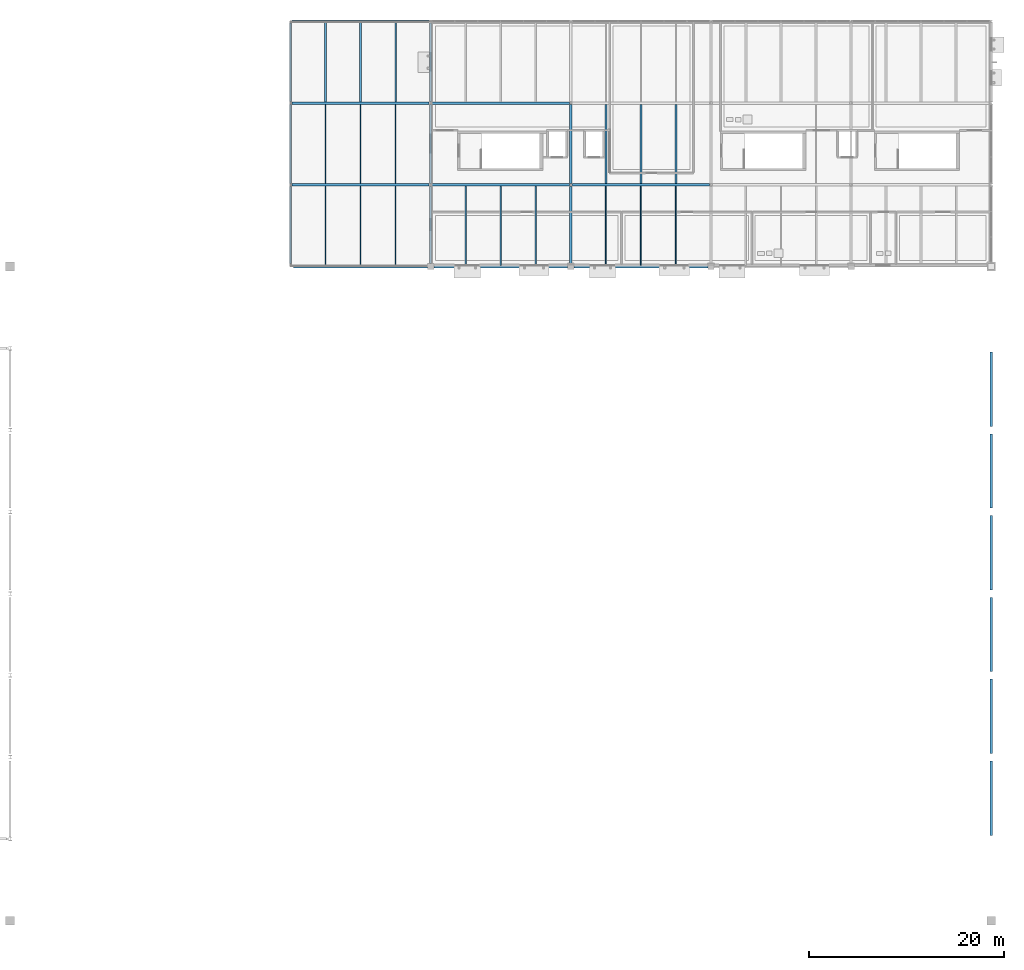
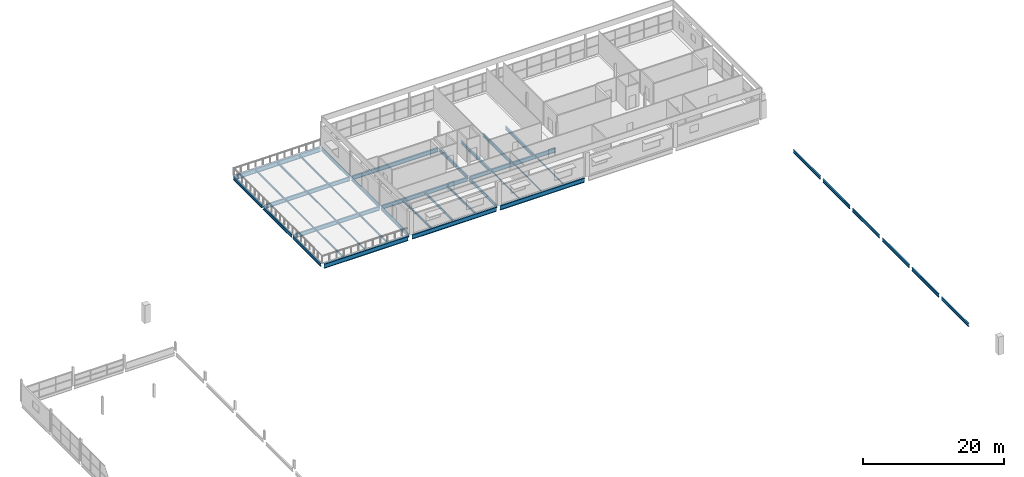
# One storey, part 17 of 43: 41 beams.
"""IFC4 building model written with IfcOpenShell, lengths in metres."""

from ifc_helpers import new_model, si_unit, direction, frame, origin, origin_2d, place, context, subcontext, project, spatial, i_section, extrude, material, material_profile, profile_set, type_object, element, save


model = new_model("IFC4")

# Units and contexts
model_context = context("Model", 3, precision=1e-05, world=origin(), true_north=direction((0.0, 1.0)))
body_context = subcontext(model_context, "Body", "Model", "MODEL_VIEW")
ifc_project = project(units=[si_unit("LENGTHUNIT", "METRE"), si_unit("AREAUNIT", "SQUARE_METRE"), si_unit("VOLUMEUNIT", "CUBIC_METRE"), si_unit("PLANEANGLEUNIT", "RADIAN"), si_unit("MASSUNIT", "GRAM", prefix="KILO"), si_unit("THERMODYNAMICTEMPERATUREUNIT", "KELVIN")], contexts=[model_context])

# Site, building, storey
site_placement = place(None, origin())
site = spatial("IfcSite", under=ifc_project, at=site_placement, CompositionType="ELEMENT")
building_placement = place(site_placement, origin())
building = spatial("IfcBuilding", under=site, at=building_placement, Name="Nduvali Passage Aquatics Centre", CompositionType="ELEMENT")
storey_placement = place(building_placement, frame((0.0, 0.0, 17.39990234375)))
storey = spatial("IfcBuildingStorey", under=building, at=storey_placement, Name="L04", CompositionType="ELEMENT", Elevation=17.39990234375)

# Beams
ifc_material = material(Name="Steel S355", Category="steel")
ifc_material_profile_1 = material_profile(ifc_material, i_section(OverallWidth=0.210693359375, OverallDepth=0.53955078125, WebThickness=0.01171875, FlangeThickness=0.018798828125, FilletRadius=0.0126953125, at=origin_2d()), Name="UKB 533x210x109")
ifc_profile_set_1 = profile_set([ifc_material_profile_1], Name="Steel S355")
beam_type_1 = type_object("IfcBeamType", Name="STR-BM-UKB533", PredefinedType="BEAM", material=ifc_profile_set_1)
beam_1_placement = place(storey_placement, frame((54.0, 92.72509765625, -0.503662109375), z_axis=(0.0, 1.0, 0.0), x_axis=(-1.0, 0.0, 0.0)))
element("IfcBeam", 1, at=beam_1_placement, inside=storey, type_object=beam_type_1, Name="L04 Primary Y-Girder B6-1371", PredefinedType="BEAM", context=body_context, shape_type="SweptSolid", body=[
    extrude(i_section(OverallWidth=0.210693359375, OverallDepth=0.53955078125, WebThickness=0.01171875, FlangeThickness=0.018798828125, FilletRadius=0.0126953125, at=origin_2d()), origin(), (0.0, 0.0, 1.0), 7.9248046875),
])
beam_2_placement = place(storey_placement, frame((54.0, 100.949951171875, -0.503662109375), z_axis=(0.0, 1.0, 0.0), x_axis=(-1.0, 0.0, 0.0)))
element("IfcBeam", 2, at=beam_2_placement, inside=storey, type_object=beam_type_1, Name="L04 Primary Y-Girder B6-1372", PredefinedType="BEAM", context=body_context, shape_type="SweptSolid", body=[
    extrude(i_section(OverallWidth=0.210693359375, OverallDepth=0.53955078125, WebThickness=0.01171875, FlangeThickness=0.018798828125, FilletRadius=0.0126953125, at=origin_2d()), origin(), (0.0, 0.0, 1.0), 8.10009765625),
])
beam_3_placement = place(storey_placement, frame((54.0, 109.35009765625, -0.503662109375), z_axis=(0.0, 1.0, 0.0), x_axis=(-1.0, 0.0, 0.0)))
element("IfcBeam", 3, at=beam_3_placement, inside=storey, type_object=beam_type_1, Name="L04 Primary Y-Girder B6-1373", PredefinedType="BEAM", context=body_context, shape_type="SweptSolid", body=[
    extrude(i_section(OverallWidth=0.210693359375, OverallDepth=0.53955078125, WebThickness=0.01171875, FlangeThickness=0.018798828125, FilletRadius=0.0126953125, at=origin_2d()), origin(), (0.0, 0.0, 1.0), 8.099853515625),
])
beam_4_placement = place(storey_placement, frame((68.39990234375, 92.72509765625, -0.503662109375), z_axis=(0.0, 1.0, 0.0), x_axis=(-1.0, 0.0, 0.0)))
element("IfcBeam", 4, at=beam_4_placement, inside=storey, type_object=beam_type_1, Name="L04 Primary Y-Girder B6-1374", PredefinedType="BEAM", context=body_context, shape_type="SweptSolid", body=[
    extrude(i_section(OverallWidth=0.210693359375, OverallDepth=0.53955078125, WebThickness=0.01171875, FlangeThickness=0.018798828125, FilletRadius=0.0126953125, at=origin_2d()), origin(), (0.0, 0.0, 1.0), 7.9248046875),
])
beam_5_placement = place(storey_placement, frame((68.39990234375, 100.949951171875, -0.503662109375), z_axis=(0.0, 1.0, 0.0), x_axis=(-1.0, 0.0, 0.0)))
element("IfcBeam", 5, at=beam_5_placement, inside=storey, type_object=beam_type_1, Name="L04 Primary Y-Girder B6-1375", PredefinedType="BEAM", context=body_context, shape_type="SweptSolid", body=[
    extrude(i_section(OverallWidth=0.210693359375, OverallDepth=0.53955078125, WebThickness=0.01171875, FlangeThickness=0.018798828125, FilletRadius=0.0126953125, at=origin_2d()), origin(), (0.0, 0.0, 1.0), 8.10009765625),
])
beam_6_placement = place(storey_placement, frame((68.39990234375, 109.35009765625, -0.503662109375), z_axis=(0.0, 1.0, 0.0), x_axis=(-1.0, 0.0, 0.0)))
element("IfcBeam", 6, at=beam_6_placement, inside=storey, type_object=beam_type_1, Name="L04 Primary Y-Girder B6-1376", PredefinedType="BEAM", context=body_context, shape_type="SweptSolid", body=[
    extrude(i_section(OverallWidth=0.210693359375, OverallDepth=0.53955078125, WebThickness=0.01171875, FlangeThickness=0.018798828125, FilletRadius=0.0126953125, at=origin_2d()), origin(), (0.0, 0.0, 1.0), 8.099853515625),
])
beam_7_placement = place(storey_placement, frame((82.800048828125, 92.72509765625, -0.503662109375), z_axis=(0.0, 1.0, 0.0), x_axis=(-1.0, 0.0, 0.0)))
element("IfcBeam", 7, at=beam_7_placement, inside=storey, type_object=beam_type_1, Name="L04 Primary Y-Girder B6-1377", PredefinedType="BEAM", context=body_context, shape_type="SweptSolid", body=[
    extrude(i_section(OverallWidth=0.210693359375, OverallDepth=0.53955078125, WebThickness=0.01171875, FlangeThickness=0.018798828125, FilletRadius=0.0126953125, at=origin_2d()), origin(), (0.0, 0.0, 1.0), 7.9248046875),
])
beam_8_placement = place(storey_placement, frame((82.800048828125, 100.949951171875, -0.503662109375), z_axis=(0.0, 1.0, 0.0), x_axis=(-1.0, 0.0, 0.0)))
element("IfcBeam", 8, at=beam_8_placement, inside=storey, type_object=beam_type_1, Name="L04 Primary Y-Girder B6-1378", PredefinedType="BEAM", context=body_context, shape_type="SweptSolid", body=[
    extrude(i_section(OverallWidth=0.210693359375, OverallDepth=0.53955078125, WebThickness=0.01171875, FlangeThickness=0.018798828125, FilletRadius=0.0126953125, at=origin_2d()), origin(), (0.0, 0.0, 1.0), 8.10009765625),
])
ifc_material_profile_2 = material_profile(ifc_material, i_section(OverallWidth=0.210693359375, OverallDepth=0.53955078125, WebThickness=0.01171875, FlangeThickness=0.018798828125, FilletRadius=0.0126953125, at=origin_2d()), Name="UKB 533x210x109")
ifc_profile_set_2 = profile_set([ifc_material_profile_2], Name="Steel S355")
beam_type_2 = type_object("IfcBeamType", Name="STR-BM-UKB533-EXT", PredefinedType="BEAM", material=ifc_profile_set_2)
for number, where, z_axis, x_axis, name in (
    (9, (126.0, 33.97509765625, -0.503662109375), (0.0, 1.0, 0.0), (-1.0, 0.0, 0.0), "L04 Primary Y-Girder B6E-1387"),
    (10, (126.0, 42.375, -0.503662109375), (0.0, 1.0, 0.0), (-1.0, 0.0, 0.0), "L04 Primary Y-Girder B6E-1388"),
):
    element("IfcBeam", number, at=place(storey_placement, frame(where, z_axis=z_axis, x_axis=x_axis)), inside=storey, type_object=beam_type_2, Name=name, PredefinedType="BEAM", context=body_context, shape_type="SweptSolid", body=[
        extrude(i_section(OverallWidth=0.210693359375, OverallDepth=0.53955078125, WebThickness=0.01171875, FlangeThickness=0.018798828125, FilletRadius=0.0126953125, at=origin_2d()), origin(), (0.0, 0.0, 1.0), 7.64990234375),
    ])
beam_9_placement = place(storey_placement, frame((126.0, 50.77490234375, -0.503662109375), z_axis=(0.0, 1.0, 0.0), x_axis=(-1.0, 0.0, 0.0)))
element("IfcBeam", 11, at=beam_9_placement, inside=storey, type_object=beam_type_2, Name="L04 Primary Y-Girder B6E-1389", PredefinedType="BEAM", context=body_context, shape_type="SweptSolid", body=[
    extrude(i_section(OverallWidth=0.210693359375, OverallDepth=0.53955078125, WebThickness=0.01171875, FlangeThickness=0.018798828125, FilletRadius=0.0126953125, at=origin_2d()), origin(), (0.0, 0.0, 1.0), 7.650146484375),
])
beam_10_placement = place(storey_placement, frame((126.0, 59.175048828125, -0.503662109375), z_axis=(0.0, 1.0, 0.0), x_axis=(-1.0, 0.0, 0.0)))
element("IfcBeam", 12, at=beam_10_placement, inside=storey, type_object=beam_type_2, Name="L04 Primary Y-Girder B6E-1390", PredefinedType="BEAM", context=body_context, shape_type="SweptSolid", body=[
    extrude(i_section(OverallWidth=0.210693359375, OverallDepth=0.53955078125, WebThickness=0.01171875, FlangeThickness=0.018798828125, FilletRadius=0.0126953125, at=origin_2d()), origin(), (0.0, 0.0, 1.0), 7.64990234375),
])
beam_11_placement = place(storey_placement, frame((126.0, 67.574951171875, -0.503662109375), z_axis=(0.0, 1.0, 0.0), x_axis=(-1.0, 0.0, 0.0)))
element("IfcBeam", 13, at=beam_11_placement, inside=storey, type_object=beam_type_2, Name="L04 Primary Y-Girder B6E-1391", PredefinedType="BEAM", context=body_context, shape_type="SweptSolid", body=[
    extrude(i_section(OverallWidth=0.210693359375, OverallDepth=0.53955078125, WebThickness=0.01171875, FlangeThickness=0.018798828125, FilletRadius=0.0126953125, at=origin_2d()), origin(), (0.0, 0.0, 1.0), 7.650146484375),
])
beam_12_placement = place(storey_placement, frame((126.0, 75.97509765625, -0.503662109375), z_axis=(0.0, 1.0, 0.0), x_axis=(-1.0, 0.0, 0.0)))
element("IfcBeam", 14, at=beam_12_placement, inside=storey, type_object=beam_type_2, Name="L04 Primary Y-Girder B6E-1392", PredefinedType="BEAM", context=body_context, shape_type="SweptSolid", body=[
    extrude(i_section(OverallWidth=0.210693359375, OverallDepth=0.53955078125, WebThickness=0.01171875, FlangeThickness=0.018798828125, FilletRadius=0.0126953125, at=origin_2d()), origin(), (0.0, 0.0, 1.0), 7.64990234375),
])
ifc_material_profile_3 = material_profile(ifc_material, i_section(OverallWidth=0.253662109375, OverallDepth=0.68359375, WebThickness=0.012451171875, FlangeThickness=0.01904296875, FilletRadius=0.01513671875, at=origin_2d()), Name="UKB 686x254x140")
ifc_profile_set_3 = profile_set([ifc_material_profile_3], Name="Steel S355")
beam_type_3 = type_object("IfcBeamType", Name="STR-BM-UKB686", PredefinedType="BEAM", material=ifc_profile_set_3)
beam_13_placement = place(storey_placement, frame((54.14990234375, 100.800048828125, -0.5556640625), z_axis=(1.0, 0.0, 0.0), x_axis=(0.0, 1.0, 0.0)))
element("IfcBeam", 15, at=beam_13_placement, inside=storey, type_object=beam_type_3, Name="L04 Primary X-Girder B4-1338", PredefinedType="BEAM", context=body_context, shape_type="SweptSolid", body=[
    extrude(i_section(OverallWidth=0.253662109375, OverallDepth=0.68359375, WebThickness=0.012451171875, FlangeThickness=0.01904296875, FilletRadius=0.01513671875, at=origin_2d()), origin(), (0.0, 0.0, 1.0), 14.10009765625),
])
beam_14_placement = place(storey_placement, frame((68.550048828125, 100.800048828125, -0.57568359375), z_axis=(1.0, 0.0, 0.0), x_axis=(0.0, 1.0, 0.0)))
element("IfcBeam", 16, at=beam_14_placement, inside=storey, type_object=beam_type_3, Name="L04 Primary X-Girder B4-1339", PredefinedType="BEAM", context=body_context, shape_type="SweptSolid", body=[
    extrude(i_section(OverallWidth=0.253662109375, OverallDepth=0.68359375, WebThickness=0.012451171875, FlangeThickness=0.01904296875, FilletRadius=0.01513671875, at=origin_2d()), origin(), (0.0, 0.0, 1.0), 14.099853515625),
])
for number, where, z_axis, x_axis, name in (
    (17, (82.949951171875, 100.800048828125, -0.57568359375), (1.0, 0.0, 0.0), (0.0, 1.0, 0.0), "L04 Primary X-Girder B4-1340"),
    (18, (54.14990234375, 109.199951171875, -0.5556640625), (1.0, 0.0, 0.0), (0.0, 1.0, 0.0), "L04 Primary X-Girder B4-1343"),
):
    element("IfcBeam", number, at=place(storey_placement, frame(where, z_axis=z_axis, x_axis=x_axis)), inside=storey, type_object=beam_type_3, Name=name, PredefinedType="BEAM", context=body_context, shape_type="SweptSolid", body=[
        extrude(i_section(OverallWidth=0.253662109375, OverallDepth=0.68359375, WebThickness=0.012451171875, FlangeThickness=0.01904296875, FilletRadius=0.01513671875, at=origin_2d()), origin(), (0.0, 0.0, 1.0), 14.10009765625),
    ])
beam_15_placement = place(storey_placement, frame((68.550048828125, 109.199951171875, -0.57568359375), z_axis=(1.0, 0.0, 0.0), x_axis=(0.0, 1.0, 0.0)))
element("IfcBeam", 19, at=beam_15_placement, inside=storey, type_object=beam_type_3, Name="L04 Primary X-Girder B4-1344", PredefinedType="BEAM", context=body_context, shape_type="SweptSolid", body=[
    extrude(i_section(OverallWidth=0.253662109375, OverallDepth=0.68359375, WebThickness=0.012451171875, FlangeThickness=0.01904296875, FilletRadius=0.01513671875, at=origin_2d()), origin(), (0.0, 0.0, 1.0), 14.099853515625),
])
ifc_material_profile_4 = material_profile(ifc_material, i_section(OverallWidth=0.2666015625, OverallDepth=0.76220703125, WebThickness=0.014404296875, FlangeThickness=0.021484375, FilletRadius=0.0166015625, at=origin_2d()), Name="UKB 762x267x173")
ifc_profile_set_4 = profile_set([ifc_material_profile_4], Name="Steel S355")
beam_type_4 = type_object("IfcBeamType", Name="STR-BM-UKB762-EXT", PredefinedType="BEAM", material=ifc_profile_set_4)
for number, where, z_axis, x_axis, name in (
    (20, (54.324951171875, 92.39990234375, -0.614990234375), (1.0, 0.0, 0.0), (0.0, 1.0, 0.0), "L04 Primary X-Girder B4CE-1333"),
    (21, (68.72509765625, 92.39990234375, -0.614990234375), (1.0, 0.0, 0.0), (0.0, 1.0, 0.0), "L04 Primary X-Girder B4CE-1334"),
    (22, (83.125, 92.39990234375, -0.614990234375), (1.0, 0.0, 0.0), (0.0, 1.0, 0.0), "L04 Primary X-Girder B4CE-1335"),
):
    element("IfcBeam", number, at=place(storey_placement, frame(where, z_axis=z_axis, x_axis=x_axis)), inside=storey, type_object=beam_type_4, Name=name, PredefinedType="BEAM", context=body_context, shape_type="SweptSolid", body=[
        extrude(i_section(OverallWidth=0.2666015625, OverallDepth=0.76220703125, WebThickness=0.014404296875, FlangeThickness=0.021484375, FilletRadius=0.0166015625, at=origin_2d()), origin(), (0.0, 0.0, 1.0), 13.75),
    ])
beam_16_placement = place(storey_placement, frame((54.14990234375, 117.60009765625, -0.594970703125), z_axis=(1.0, 0.0, 0.0), x_axis=(0.0, 1.0, 0.0)))
element("IfcBeam", 23, at=beam_16_placement, inside=storey, type_object=beam_type_4, Name="L04 Primary X-Girder B4CE-1348", PredefinedType="BEAM", context=body_context, shape_type="SweptSolid", body=[
    extrude(i_section(OverallWidth=0.2666015625, OverallDepth=0.76220703125, WebThickness=0.014404296875, FlangeThickness=0.021484375, FilletRadius=0.0166015625, at=origin_2d()), origin(), (0.0, 0.0, 1.0), 14.10009765625),
])
ifc_material_profile_5 = material_profile(ifc_material, i_section(OverallWidth=0.10009765625, OverallDepth=0.199951171875, WebThickness=0.005615234375, FlangeThickness=0.008544921875, FilletRadius=0.011962890625, at=origin_2d()), Name="IPE 200")
ifc_profile_set_5 = profile_set([ifc_material_profile_5], Name="Steel S355")
beam_type_5 = type_object("IfcBeamType", Name="STR-JST-IPE200", PredefinedType="JOIST", material=ifc_profile_set_5)
for number, where, z_axis, x_axis, name in (
    (24, (86.39990234375, 92.533203125, -0.333984375), (0.0, 1.0, 0.0), (-1.0, 0.0, 0.0), "L04 Secondary Joist J9A-1409"),
    (25, (90.0, 92.533203125, -0.333984375), (0.0, 1.0, 0.0), (-1.0, 0.0, 0.0), "L04 Secondary Joist J9A-1410"),
    (26, (93.60009765625, 92.533203125, -0.333984375), (0.0, 1.0, 0.0), (-1.0, 0.0, 0.0), "L04 Secondary Joist J9A-1411"),
):
    element("IfcBeam", number, at=place(storey_placement, frame(where, z_axis=z_axis, x_axis=x_axis)), inside=storey, type_object=beam_type_5, Name=name, PredefinedType="JOIST", context=body_context, shape_type="SweptSolid", body=[
        extrude(i_section(OverallWidth=0.10009765625, OverallDepth=0.199951171875, WebThickness=0.005615234375, FlangeThickness=0.008544921875, FilletRadius=0.011962890625, at=origin_2d()), origin(), (0.0, 0.0, 1.0), 8.139892578125),
    ])
ifc_material_profile_6 = material_profile(ifc_material, i_section(OverallWidth=0.135009765625, OverallDepth=0.27001953125, WebThickness=0.006591796875, FlangeThickness=0.01025390625, FilletRadius=0.014892578125, at=origin_2d()), Name="IPE 270")
ifc_profile_set_6 = profile_set([ifc_material_profile_6], Name="Steel S355")
beam_type_6 = type_object("IfcBeamType", Name="STR-JST-IPE270", PredefinedType="JOIST", material=ifc_profile_set_6)
for number, where, z_axis, x_axis, name in (
    (27, (57.60009765625, 100.9267578125, -0.348876953125), (0.0, 1.0, 0.0), (-1.0, 0.0, 0.0), "L04 Secondary Joist J8-1418"),
    (28, (61.199951171875, 100.9267578125, -0.348876953125), (0.0, 1.0, 0.0), (-1.0, 0.0, 0.0), "L04 Secondary Joist J8-1419"),
    (29, (64.800048828125, 100.9267578125, -0.348876953125), (0.0, 1.0, 0.0), (-1.0, 0.0, 0.0), "L04 Secondary Joist J8-1420"),
):
    element("IfcBeam", number, at=place(storey_placement, frame(where, z_axis=z_axis, x_axis=x_axis)), inside=storey, type_object=beam_type_6, Name=name, PredefinedType="JOIST", context=body_context, shape_type="SweptSolid", body=[
        extrude(i_section(OverallWidth=0.135009765625, OverallDepth=0.27001953125, WebThickness=0.006591796875, FlangeThickness=0.01025390625, FilletRadius=0.014892578125, at=origin_2d()), origin(), (0.0, 0.0, 1.0), 8.146484375),
    ])
ifc_material_profile_7 = material_profile(ifc_material, i_section(OverallWidth=0.2099609375, OverallDepth=0.550048828125, WebThickness=0.010986328125, FlangeThickness=0.01708984375, FilletRadius=0.02392578125, at=origin_2d()), Name="IPE 550")
ifc_profile_set_7 = profile_set([ifc_material_profile_7], Name="Steel S355")
beam_type_7 = type_object("IfcBeamType", Name="STR-JST-IPE550", PredefinedType="JOIST", material=ifc_profile_set_7)
for number, where, z_axis, x_axis, name in (
    (30, (86.39990234375, 100.9267578125, -0.5087890625), (0.0, 1.0, 0.0), (-1.0, 0.0, 0.0), "L04 Secondary Joist J5C-1421"),
    (31, (90.0, 100.9267578125, -0.5087890625), (0.0, 1.0, 0.0), (-1.0, 0.0, 0.0), "L04 Secondary Joist J5C-1422"),
    (32, (93.60009765625, 100.9267578125, -0.5087890625), (0.0, 1.0, 0.0), (-1.0, 0.0, 0.0), "L04 Secondary Joist J5C-1423"),
):
    element("IfcBeam", number, at=place(storey_placement, frame(where, z_axis=z_axis, x_axis=x_axis)), inside=storey, type_object=beam_type_7, Name=name, PredefinedType="JOIST", context=body_context, shape_type="SweptSolid", body=[
        extrude(i_section(OverallWidth=0.2099609375, OverallDepth=0.550048828125, WebThickness=0.010986328125, FlangeThickness=0.01708984375, FilletRadius=0.02392578125, at=origin_2d()), origin(), (0.0, 0.0, 1.0), 8.146484375),
    ])
ifc_material_profile_8 = material_profile(ifc_material, i_section(OverallWidth=0.165771484375, OverallDepth=0.306640625, WebThickness=0.006591796875, FlangeThickness=0.01171875, FilletRadius=0.0087890625, at=origin_2d()), Name="UKB 305x165x46")
ifc_profile_set_8 = profile_set([ifc_material_profile_8], Name="Steel S355")
beam_type_8 = type_object("IfcBeamType", Name="STR-JST-UKB305", PredefinedType="JOIST", material=ifc_profile_set_8)
for number, where, z_axis, x_axis, name in (
    (33, (57.60009765625, 109.326904296875, -0.3671875), (0.0, 1.0, 0.0), (-1.0, 0.0, 0.0), "L04 Secondary Joist J3-1425"),
    (34, (61.199951171875, 109.326904296875, -0.3671875), (0.0, 1.0, 0.0), (-1.0, 0.0, 0.0), "L04 Secondary Joist J3-1426"),
    (35, (64.800048828125, 109.326904296875, -0.3671875), (0.0, 1.0, 0.0), (-1.0, 0.0, 0.0), "L04 Secondary Joist J3-1427"),
):
    element("IfcBeam", number, at=place(storey_placement, frame(where, z_axis=z_axis, x_axis=x_axis)), inside=storey, type_object=beam_type_8, Name=name, PredefinedType="JOIST", context=body_context, shape_type="SweptSolid", body=[
        extrude(i_section(OverallWidth=0.165771484375, OverallDepth=0.306640625, WebThickness=0.006591796875, FlangeThickness=0.01171875, FilletRadius=0.0087890625, at=origin_2d()), origin(), (0.0, 0.0, 1.0), 8.139892578125),
    ])
ifc_material_profile_9 = material_profile(ifc_material, i_section(OverallWidth=0.124267578125, OverallDepth=0.30712890625, WebThickness=0.008056640625, FlangeThickness=0.01220703125, FilletRadius=0.0087890625, at=origin_2d()), Name="UKB 305x127x42")
ifc_profile_set_9 = profile_set([ifc_material_profile_9], Name="Steel S355")
beam_type_9 = type_object("IfcBeamType", Name="STR-JST-UKB305L", PredefinedType="JOIST", material=ifc_profile_set_9)
for number, where, z_axis, x_axis, name in (
    (36, (57.60009765625, 92.533203125, -0.367431640625), (0.0, 1.0, 0.0), (-1.0, 0.0, 0.0), "L04 Secondary Joist J3A-1403"),
    (37, (61.199951171875, 92.533203125, -0.367431640625), (0.0, 1.0, 0.0), (-1.0, 0.0, 0.0), "L04 Secondary Joist J3A-1404"),
    (38, (64.800048828125, 92.533203125, -0.367431640625), (0.0, 1.0, 0.0), (-1.0, 0.0, 0.0), "L04 Secondary Joist J3A-1405"),
):
    element("IfcBeam", number, at=place(storey_placement, frame(where, z_axis=z_axis, x_axis=x_axis)), inside=storey, type_object=beam_type_9, Name=name, PredefinedType="JOIST", context=body_context, shape_type="SweptSolid", body=[
        extrude(i_section(OverallWidth=0.124267578125, OverallDepth=0.30712890625, WebThickness=0.008056640625, FlangeThickness=0.01220703125, FilletRadius=0.0087890625, at=origin_2d()), origin(), (0.0, 0.0, 1.0), 8.139892578125),
    ])
ifc_material_profile_10 = material_profile(ifc_material, i_section(OverallWidth=0.172119140625, OverallDepth=0.35791015625, WebThickness=0.008056640625, FlangeThickness=0.012939453125, FilletRadius=0.01025390625, at=origin_2d()), Name="UKB 356x171x57")
ifc_profile_set_10 = profile_set([ifc_material_profile_10], Name="Steel S355")
beam_type_10 = type_object("IfcBeamType", Name="STR-JST-UKB356", PredefinedType="JOIST", material=ifc_profile_set_10)
for number, where, z_axis, x_axis, name in (
    (39, (72.0, 92.533203125, -0.412841796875), (0.0, 1.0, 0.0), (-1.0, 0.0, 0.0), "L04 Secondary Joist J2-1406"),
    (40, (75.60009765625, 92.533203125, -0.412841796875), (0.0, 1.0, 0.0), (-1.0, 0.0, 0.0), "L04 Secondary Joist J2-1407"),
    (41, (79.199951171875, 92.533203125, -0.412841796875), (0.0, 1.0, 0.0), (-1.0, 0.0, 0.0), "L04 Secondary Joist J2-1408"),
):
    element("IfcBeam", number, at=place(storey_placement, frame(where, z_axis=z_axis, x_axis=x_axis)), inside=storey, type_object=beam_type_10, Name=name, PredefinedType="JOIST", context=body_context, shape_type="SweptSolid", body=[
        extrude(i_section(OverallWidth=0.172119140625, OverallDepth=0.35791015625, WebThickness=0.008056640625, FlangeThickness=0.012939453125, FilletRadius=0.01025390625, at=origin_2d()), origin(), (0.0, 0.0, 1.0), 8.139892578125),
    ])

save(model, "model.ifc")
